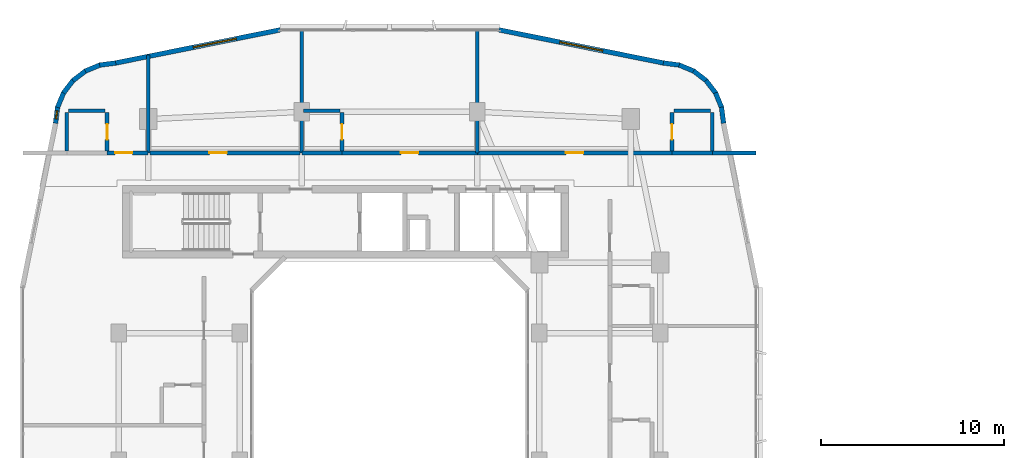
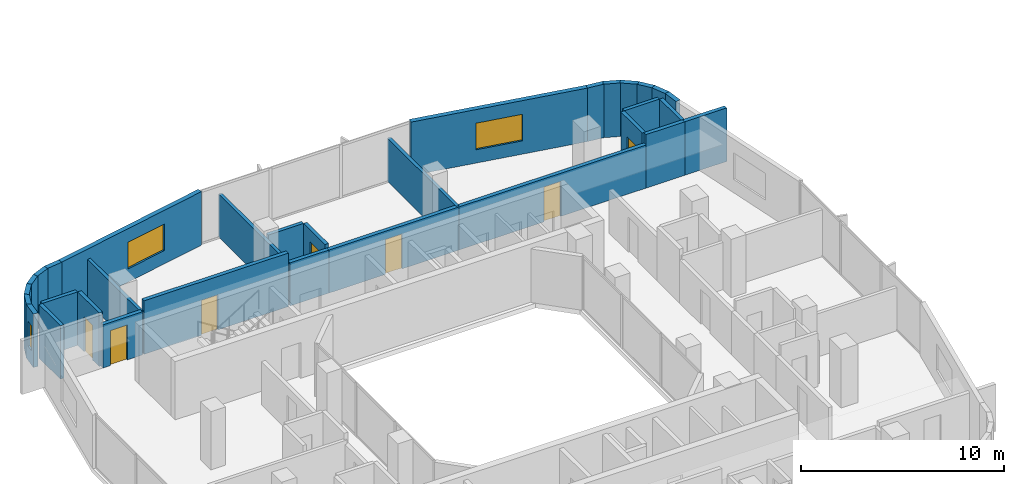
# One storey, part 16 of 26: 32 walls, 7 doors, 3 windows, 10 openings.
"""IFC4 building model written with IfcOpenShell, lengths in metres."""

from ifc_helpers import new_model, si_unit, derived_unit, direction, frame, frame_2d, origin, place, context, subcontext, project, spatial, rectangle, extrude, material, layer, layer_set, type_object, element, fill, save


model = new_model("IFC4")

# Units and contexts
model_context = context("Model", 3, precision=1e-05, world=origin(), true_north=direction((0.0, 1.0)))
body_context = subcontext(model_context, "Body", "Model", "MODEL_VIEW")
ifc_project = project(units=[si_unit("LENGTHUNIT", "METRE"), si_unit("AREAUNIT", "SQUARE_METRE"), si_unit("VOLUMEUNIT", "CUBIC_METRE"), si_unit("PLANEANGLEUNIT", "RADIAN"), si_unit("MASSUNIT", "GRAM", prefix="KILO"), derived_unit("THERMALTRANSMITTANCEUNIT", [(si_unit("POWERUNIT", "WATT"), 1), (si_unit("LENGTHUNIT", "METRE"), -2), (si_unit("THERMODYNAMICTEMPERATUREUNIT", "KELVIN"), -1)])], contexts=[model_context])

# Site, building, storey
site_placement = place(None, origin())
site = spatial("IfcSite", under=ifc_project, at=site_placement, CompositionType="ELEMENT")
building_placement = place(site_placement, origin())
building = spatial("IfcBuilding", under=site, at=building_placement, Name="Kivonza Crest Hotel", CompositionType="ELEMENT")
storey_placement = place(building_placement, frame((0.0, 0.0, 109.0)))
storey = spatial("IfcBuildingStorey", under=building, at=storey_placement, Name="L29", CompositionType="ELEMENT", Elevation=109.0)

# Walls
ifc_material_1 = material(Name="High-density acoustic masonry inter-tenancy wall", Category="masonry")
ifc_layer_1 = layer(ifc_material_1, 0.179931640625)
ifc_layer_set_1 = layer_set([ifc_layer_1], Name="High-density acoustic masonry inter-tenancy wall")
wall_type_1 = type_object("IfcWallType", Name="WL-ACOU-180", PredefinedType="SOLIDWALL", material=ifc_layer_set_1)
wall_1_placement = place(storey_placement, frame((7.800048828125, 38.35009765625, 0.0), z_axis=(0.0, 0.0, 1.0), x_axis=(0.0, 1.0, 0.0)))
element("IfcWall", 1, at=wall_1_placement, inside=storey, type_object=wall_type_1, Name="L29 interior partition WA-L29-T1N-DIV1", PredefinedType="SOLIDWALL", context=body_context, shape_type="SweptSolid", body=[
    extrude(rectangle(XDim=5.350830078125, YDim=0.179931640625, at=frame_2d((2.67529296875, 0.0))), origin(), (0.0, 0.0, 1.0), 2.594970703125),
])
for number, where, z_axis, x_axis, name in (
    (2, (16.199951171875, 38.35009765625, 0.0), (0.0, 0.0, 1.0), (0.0, 1.0, 0.0), "L29 interior partition WA-L29-T1N-DIV2"),
    (3, (25.800048828125, 38.35009765625, 0.0), (0.0, 0.0, 1.0), (0.0, 1.0, 0.0), "L29 interior partition WA-L29-T1N-DIV3"),
):
    element("IfcWall", number, at=place(storey_placement, frame(where, z_axis=z_axis, x_axis=x_axis)), inside=storey, type_object=wall_type_1, Name=name, PredefinedType="SOLIDWALL", context=body_context, shape_type="SweptSolid", body=[
        extrude(rectangle(XDim=6.789794921875, YDim=0.179931640625, at=frame_2d((3.39501953125, 0.0))), origin(), (0.0, 0.0, 1.0), 2.594970703125),
    ])

# Wall, opening, door
ifc_material_2 = material(Name="Autoclaved aerated concrete blockwork", Category="masonry")
ifc_layer_2 = layer(ifc_material_2, 0.219970703125)
ifc_layer_set_2 = layer_set([ifc_layer_2], Name="Autoclaved aerated concrete blockwork")
wall_type_2 = type_object("IfcWallType", Name="WL-ACOU-220", PredefinedType="SOLIDWALL", material=ifc_layer_set_2)
wall_2_placement = place(storey_placement, frame((5.550048828125, 38.35009765625, 0.0), z_axis=(0.0, 0.0, 1.0), x_axis=(1.0, 0.0, 0.0)))
wall_2 = element("IfcWall", 4, at=wall_2_placement, inside=storey, type_object=wall_type_2, Name="L29 interior partition WA-L29-N01-MCORR", PredefinedType="SOLIDWALL", context=body_context, shape_type="SweptSolid", body=[
    extrude(rectangle(XDim=2.25, YDim=0.219970703125, at=frame_2d((1.125, 0.0))), origin(), (0.0, 0.0, 1.0), 2.594970703125),
])
opening_1_placement = place(wall_2_placement, frame((0.43994140625, 0.0, 0.0)))
opening_1 = element("IfcOpeningElement", 5, at=opening_1_placement, cuts=wall_2, Name="Opening DU-60", PredefinedType="OPENING", context=body_context, shape_type="SweptSolid", body=[
    extrude(rectangle(XDim=0.949951171875, YDim=2.10009765625, at=frame_2d((0.47509765625, 1.050048828125))), frame((0.0, 0.1201171875, 0.0), z_axis=(0.0, -1.0, 0.0), x_axis=(1.0, 0.0, 0.0)), (0.0, 0.0, 1.0), 0.239990234375),
])
ifc_material_3 = material(Name="Hardwood timber oak", Category="wood")
door_type_1 = type_object("IfcDoorType", Name="DR-UNIT-950", OperationType="NOTDEFINED", PredefinedType="DOOR", material=ifc_material_3)
door_1_placement = place(opening_1_placement, origin())
door_1 = element("IfcDoor", 6, at=door_1_placement, inside=storey, type_object=door_type_1, Name="L29 N01 guest unit entrance fire door", OperationType="SINGLE_SWING_LEFT", OverallHeight=2.10009765625, OverallWidth=0.949951171875, PredefinedType="DOOR", context=body_context, shape_type="SweptSolid", body=[
    extrude(rectangle(XDim=0.949951171875, YDim=2.10009765625, at=frame_2d((0.47509765625, 1.050048828125))), frame((0.0, 0.02490234375, 0.0), z_axis=(0.0, -1.0, 0.0), x_axis=(1.0, 0.0, 0.0)), (0.0, 0.0, 1.0), 0.050048828125),
])
fill(opening_1, door_1)

wall_3_placement = place(storey_placement, frame((7.89990234375, 38.35009765625, 0.0), z_axis=(0.0, 0.0, 1.0), x_axis=(1.0, 0.0, 0.0)))
wall_3 = element("IfcWall", 7, at=wall_3_placement, inside=storey, type_object=wall_type_2, Name="L29 interior partition WA-L29-HK-MAIN-S", PredefinedType="SOLIDWALL", context=body_context, shape_type="SweptSolid", body=[
    extrude(rectangle(XDim=8.2001953125, YDim=0.219970703125, at=frame_2d((4.10009765625, 0.0))), origin(), (0.0, 0.0, 1.0), 3.219970703125),
])
opening_2_placement = place(wall_3_placement, frame((3.251953125, 0.0, 0.0)))
opening_2 = element("IfcOpeningElement", 8, at=opening_2_placement, cuts=wall_3, Name="Opening DF-60S", PredefinedType="OPENING", context=body_context, shape_type="SweptSolid", body=[
    extrude(rectangle(XDim=0.949951171875, YDim=2.10009765625, at=frame_2d((0.47509765625, 1.050048828125))), frame((0.0, 0.1201171875, 0.0), z_axis=(0.0, -1.0, 0.0), x_axis=(1.0, 0.0, 0.0)), (0.0, 0.0, 1.0), 0.239990234375),
])
door_type_2 = type_object("IfcDoorType", Name="DR-FD60-950", OperationType="NOTDEFINED", PredefinedType="DOOR", material=ifc_material_3)
door_2_placement = place(opening_2_placement, origin())
door_2 = element("IfcDoor", 9, at=door_2_placement, inside=storey, type_object=door_type_2, Name="L29 Housekeeping and Linen Room door", OperationType="SINGLE_SWING_RIGHT", OverallHeight=2.10009765625, OverallWidth=0.949951171875, PredefinedType="DOOR", context=body_context, shape_type="SweptSolid", body=[
    extrude(rectangle(XDim=0.949951171875, YDim=2.10009765625, at=frame_2d((0.47509765625, 1.050048828125))), frame((0.0, 0.02490234375, 0.0), z_axis=(0.0, -1.0, 0.0), x_axis=(1.0, 0.0, 0.0)), (0.0, 0.0, 1.0), 0.050048828125),
])
fill(opening_2, door_2)

# Wall
wall_4_placement = place(storey_placement, frame((16.199951171875, 38.35009765625, 0.0), z_axis=(0.0, 0.0, 1.0), x_axis=(1.0, 0.0, 0.0)))
element("IfcWall", 10, at=wall_4_placement, inside=storey, type_object=wall_type_2, Name="L29 interior partition WA-L29-N02-BCORR", PredefinedType="SOLIDWALL", context=body_context, shape_type="SweptSolid", body=[
    extrude(rectangle(XDim=2.199951171875, YDim=0.219970703125, at=frame_2d((1.10009765625, 0.0))), origin(), (0.0, 0.0, 1.0), 2.594970703125),
])

# Wall, opening, door
wall_5_placement = place(storey_placement, frame((18.39990234375, 38.35009765625, 0.0), z_axis=(0.0, 0.0, 1.0), x_axis=(1.0, 0.0, 0.0)))
wall_5 = element("IfcWall", 11, at=wall_5_placement, inside=storey, type_object=wall_type_2, Name="L29 interior partition WA-L29-N02-MCORR", PredefinedType="SOLIDWALL", context=body_context, shape_type="SweptSolid", body=[
    extrude(rectangle(XDim=7.400146484375, YDim=0.219970703125, at=frame_2d((3.7001953125, 0.0))), origin(), (0.0, 0.0, 1.0), 2.594970703125),
])
opening_3_placement = place(wall_5_placement, frame((3.22509765625, 0.0, 0.0)))
opening_3 = element("IfcOpeningElement", 12, at=opening_3_placement, cuts=wall_5, Name="Opening DU-60", PredefinedType="OPENING", context=body_context, shape_type="SweptSolid", body=[
    extrude(rectangle(XDim=0.949951171875, YDim=2.10009765625, at=frame_2d((0.47509765625, 1.050048828125))), frame((0.0, 0.1201171875, 0.0), z_axis=(0.0, -1.0, 0.0), x_axis=(1.0, 0.0, 0.0)), (0.0, 0.0, 1.0), 0.239990234375),
])
door_3_placement = place(opening_3_placement, origin())
door_3 = element("IfcDoor", 13, at=door_3_placement, inside=storey, type_object=door_type_1, Name="L29 N02 guest unit entrance fire door", OperationType="SINGLE_SWING_RIGHT", OverallHeight=2.10009765625, OverallWidth=0.949951171875, PredefinedType="DOOR", context=body_context, shape_type="SweptSolid", body=[
    extrude(rectangle(XDim=0.949951171875, YDim=2.10009765625, at=frame_2d((0.47509765625, 1.050048828125))), frame((0.0, 0.02490234375, 0.0), z_axis=(0.0, -1.0, 0.0), x_axis=(1.0, 0.0, 0.0)), (0.0, 0.0, 1.0), 0.050048828125),
])
fill(opening_3, door_3)

# Walls
wall_6_placement = place(storey_placement, frame((38.64990234375, 38.35009765625, 0.0), z_axis=(0.0, 0.0, 1.0), x_axis=(1.0, 0.0, 0.0)))
element("IfcWall", 14, at=wall_6_placement, inside=storey, type_object=wall_type_2, Name="L29 interior partition WA-L29-N03-XCORR", PredefinedType="SOLIDWALL", context=body_context, shape_type="SweptSolid", body=[
    extrude(rectangle(XDim=2.39013671875, YDim=0.219970703125, at=frame_2d((1.195068359375, 0.0))), origin(), (0.0, 0.0, 1.0), 3.219970703125),
])
wall_7_placement = place(storey_placement, frame((36.449951171875, 38.35009765625, 0.0), z_axis=(0.0, 0.0, 1.0), x_axis=(1.0, 0.0, 0.0)))
element("IfcWall", 15, at=wall_7_placement, inside=storey, type_object=wall_type_2, Name="L29 interior partition WA-L29-N03-BCORR", PredefinedType="SOLIDWALL", context=body_context, shape_type="SweptSolid", body=[
    extrude(rectangle(XDim=2.199951171875, YDim=0.219970703125, at=frame_2d((1.10009765625, 0.0))), origin(), (0.0, 0.0, 1.0), 3.219970703125),
])

# Wall, opening, door
wall_8_placement = place(storey_placement, frame((25.800048828125, 38.35009765625, 0.0), z_axis=(0.0, 0.0, 1.0), x_axis=(1.0, 0.0, 0.0)))
wall_8 = element("IfcWall", 16, at=wall_8_placement, inside=storey, type_object=wall_type_2, Name="L29 interior partition WA-L29-N03-MCORR", PredefinedType="SOLIDWALL", context=body_context, shape_type="SweptSolid", body=[
    extrude(rectangle(XDim=10.64990234375, YDim=0.219970703125, at=frame_2d((5.324951171875, 0.0))), origin(), (0.0, 0.0, 1.0), 2.594970703125),
])
opening_4_placement = place(wall_8_placement, frame((4.85009765625, 0.0, 0.0)))
opening_4 = element("IfcOpeningElement", 17, at=opening_4_placement, cuts=wall_8, Name="Opening DU-60", PredefinedType="OPENING", context=body_context, shape_type="SweptSolid", body=[
    extrude(rectangle(XDim=0.949951171875, YDim=2.10009765625, at=frame_2d((0.47509765625, 1.050048828125))), frame((0.0, 0.1201171875, 0.0), z_axis=(0.0, -1.0, 0.0), x_axis=(1.0, 0.0, 0.0)), (0.0, 0.0, 1.0), 0.239990234375),
])
door_4_placement = place(opening_4_placement, origin())
door_4 = element("IfcDoor", 18, at=door_4_placement, inside=storey, type_object=door_type_1, Name="L29 N03 guest unit entrance fire door", OperationType="SINGLE_SWING_LEFT", OverallHeight=2.10009765625, OverallWidth=0.949951171875, PredefinedType="DOOR", context=body_context, shape_type="SweptSolid", body=[
    extrude(rectangle(XDim=0.949951171875, YDim=2.10009765625, at=frame_2d((0.47509765625, 1.050048828125))), frame((0.0, 0.02490234375, 0.0), z_axis=(0.0, -1.0, 0.0), x_axis=(1.0, 0.0, 0.0)), (0.0, 0.0, 1.0), 0.050048828125),
])
fill(opening_4, door_4)

# Walls
ifc_material_4 = material(Name="Precast concrete C40/50", Category="concrete")
ifc_layer_3 = layer(ifc_material_4, 0.260009765625)
ifc_layer_set_3 = layer_set([ifc_layer_3], Name="Precast concrete C40/50")
wall_type_3 = type_object("IfcWallType", Name="WL-EXT-260", PredefinedType="STANDARD", material=ifc_layer_set_3)
wall_9_placement = place(storey_placement, frame((39.27197265625, 39.97509765625, 0.0), z_axis=(0.0, 0.0, 1.0), x_axis=(-0.130953706898, 0.991388484223, 0.0)))
element("IfcWall", 19, at=wall_9_placement, inside=storey, type_object=wall_type_3, Name="L29 T1 exterior insulated wall 19", PredefinedType="STANDARD", context=body_context, shape_type="SweptSolid", body=[
    extrude(rectangle(XDim=0.885498046875, YDim=0.260009765625, at=frame_2d((0.44287109375, 0.0))), origin(), (0.0, 0.0, 1.0), 3.219970703125),
])
wall_10_placement = place(storey_placement, frame((39.174072265625, 40.806884765625, 0.0), z_axis=(0.0, 0.0, 1.0), x_axis=(-0.383290660547, 0.923627776508, 0.0)))
element("IfcWall", 20, at=wall_10_placement, inside=storey, type_object=wall_type_3, Name="L29 T1 exterior insulated wall 20", PredefinedType="STANDARD", context=body_context, shape_type="SweptSolid", body=[
    extrude(rectangle(XDim=0.9033203125, YDim=0.260009765625, at=frame_2d((0.45166015625, 0.0))), origin(), (0.0, 0.0, 1.0), 3.219970703125),
])
wall_11_placement = place(storey_placement, frame((38.85595703125, 41.60107421875, 0.0), z_axis=(0.0, 0.0, 1.0), x_axis=(-0.608624690463, 0.793458244748, 0.0)))
element("IfcWall", 21, at=wall_11_placement, inside=storey, type_object=wall_type_3, Name="L29 T1 exterior insulated wall 21", PredefinedType="STANDARD", context=body_context, shape_type="SweptSolid", body=[
    extrude(rectangle(XDim=0.902099609375, YDim=0.260009765625, at=frame_2d((0.451171875, 0.0))), origin(), (0.0, 0.0, 1.0), 3.219970703125),
])
wall_12_placement = place(storey_placement, frame((38.344970703125, 42.285888671875, 0.0), z_axis=(0.0, 0.0, 1.0), x_axis=(-0.793558456666, 0.608494022858, 0.0)))
element("IfcWall", 22, at=wall_12_placement, inside=storey, type_object=wall_type_3, Name="L29 T1 exterior insulated wall 22", PredefinedType="STANDARD", context=body_context, shape_type="SweptSolid", body=[
    extrude(rectangle(XDim=0.90234375, YDim=0.260009765625, at=frame_2d((0.451171875, 0.0))), origin(), (0.0, 0.0, 1.0), 3.219970703125),
])
wall_13_placement = place(storey_placement, frame((37.673095703125, 42.81396484375, 0.0), z_axis=(0.0, 0.0, 1.0), x_axis=(-0.923683767999, 0.383155708213, 0.0)))
element("IfcWall", 23, at=wall_13_placement, inside=storey, type_object=wall_type_3, Name="L29 T1 exterior insulated wall 23", PredefinedType="STANDARD", context=body_context, shape_type="SweptSolid", body=[
    extrude(rectangle(XDim=0.90283203125, YDim=0.260009765625, at=frame_2d((0.451416015625, 0.0))), origin(), (0.0, 0.0, 1.0), 3.219970703125),
])
wall_14_placement = place(storey_placement, frame((36.887939453125, 43.152099609375, 0.0), z_axis=(0.0, 0.0, 1.0), x_axis=(-0.991487658083, 0.130200706103, 0.0)))
element("IfcWall", 24, at=wall_14_placement, inside=storey, type_object=wall_type_3, Name="L29 T1 exterior insulated wall 24", PredefinedType="STANDARD", context=body_context, shape_type="SweptSolid", body=[
    extrude(rectangle(XDim=0.920654296875, YDim=0.260009765625, at=frame_2d((0.46044921875, 0.0))), origin(), (0.0, 0.0, 1.0), 3.219970703125),
])

# Wall, opening, window
wall_15_placement = place(storey_placement, frame((35.98193359375, 43.27099609375, 0.0), z_axis=(0.0, 0.0, 1.0), x_axis=(-0.980315963543, 0.197435082048, 0.0)))
wall_15 = element("IfcWall", 25, at=wall_15_placement, inside=storey, type_object=wall_type_3, Name="L29 T1 exterior insulated wall 25", PredefinedType="STANDARD", context=body_context, shape_type="SweptSolid", body=[
    extrude(rectangle(XDim=9.1826171875, YDim=0.260009765625, at=frame_2d((4.59130859375, 0.0))), origin(), (0.0, 0.0, 1.0), 3.219970703125),
])
opening_5_placement = place(wall_15_placement, frame((3.39111328125, 0.0, 0.800048828125)))
opening_5 = element("IfcOpeningElement", 26, at=opening_5_placement, cuts=wall_15, Name="Opening WN-05", PredefinedType="OPENING", context=body_context, shape_type="SweptSolid", body=[
    extrude(rectangle(XDim=2.39990234375, YDim=1.60009765625, at=frame_2d((1.199951171875, 0.800048828125))), frame((0.0, 0.14013671875, 0.0), z_axis=(0.0, -1.0, 0.0), x_axis=(1.0, 0.0, 0.0)), (0.0, 0.0, 1.0), 0.280029296875),
])
ifc_material_5 = material(Name="Thermally broken bronze aluminium and low-E double glazing", Category="aluminium")
window_type_1 = type_object("IfcWindowType", Name="WN-240x160", PartitioningType="TRIPLE_PANEL_VERTICAL", PredefinedType="WINDOW", material=ifc_material_5)
window_1_placement = place(opening_5_placement, origin())
window_1 = element("IfcWindow", 27, at=window_1_placement, inside=storey, type_object=window_type_1, Name="L29 T1 facade window 25", OverallHeight=1.60009765625, OverallWidth=2.39990234375, PartitioningType="SINGLE_PANEL", PredefinedType="WINDOW", context=body_context, shape_type="SweptSolid", body=[
    extrude(rectangle(XDim=2.39990234375, YDim=1.60009765625, at=frame_2d((1.199951171875, 0.800048828125))), frame((0.0, 0.030029296875, 0.0), z_axis=(0.0, -1.0, 0.0), x_axis=(1.0, 0.0, 0.0)), (0.0, 0.0, 1.0), 0.06005859375),
])
fill(opening_5, window_1)

wall_16_placement = place(storey_placement, frame((15.02001953125, 45.083984375, 0.0), z_axis=(0.0, 0.0, 1.0), x_axis=(-0.980315963543, -0.197435082048, 0.0)))
wall_16 = element("IfcWall", 28, at=wall_16_placement, inside=storey, type_object=wall_type_3, Name="L29 T1 exterior insulated wall 27", PredefinedType="STANDARD", context=body_context, shape_type="SweptSolid", body=[
    extrude(rectangle(XDim=9.1826171875, YDim=0.260009765625, at=frame_2d((4.59130859375, 0.0))), origin(), (0.0, 0.0, 1.0), 3.219970703125),
])
opening_6_placement = place(wall_16_placement, frame((2.445068359375, 0.0, 0.800048828125)))
opening_6 = element("IfcOpeningElement", 29, at=opening_6_placement, cuts=wall_16, Name="Opening WN-05", PredefinedType="OPENING", context=body_context, shape_type="SweptSolid", body=[
    extrude(rectangle(XDim=2.39990234375, YDim=1.60009765625, at=frame_2d((1.199951171875, 0.800048828125))), frame((0.0, 0.14013671875, 0.0), z_axis=(0.0, -1.0, 0.0), x_axis=(1.0, 0.0, 0.0)), (0.0, 0.0, 1.0), 0.280029296875),
])
window_2_placement = place(opening_6_placement, origin())
window_2 = element("IfcWindow", 30, at=window_2_placement, inside=storey, type_object=window_type_1, Name="L29 T1 facade window 27", OverallHeight=1.60009765625, OverallWidth=2.39990234375, PartitioningType="SINGLE_PANEL", PredefinedType="WINDOW", context=body_context, shape_type="SweptSolid", body=[
    extrude(rectangle(XDim=2.39990234375, YDim=1.60009765625, at=frame_2d((1.199951171875, 0.800048828125))), frame((0.0, 0.030029296875, 0.0), z_axis=(0.0, -1.0, 0.0), x_axis=(1.0, 0.0, 0.0)), (0.0, 0.0, 1.0), 0.06005859375),
])
fill(opening_6, window_2)

# Walls
wall_17_placement = place(storey_placement, frame((6.02490234375, 43.27197265625, 0.0), z_axis=(0.0, 0.0, 1.0), x_axis=(-0.991388484223, -0.130953706898, 0.0)))
element("IfcWall", 31, at=wall_17_placement, inside=storey, type_object=wall_type_3, Name="L29 T1 exterior insulated wall 28", PredefinedType="STANDARD", context=body_context, shape_type="SweptSolid", body=[
    extrude(rectangle(XDim=0.885498046875, YDim=0.260009765625, at=frame_2d((0.44287109375, 0.0))), origin(), (0.0, 0.0, 1.0), 3.219970703125),
])
wall_18_placement = place(storey_placement, frame((5.193115234375, 43.174072265625, 0.0), z_axis=(0.0, 0.0, 1.0), x_axis=(-0.923627776508, -0.383290660547, 0.0)))
element("IfcWall", 32, at=wall_18_placement, inside=storey, type_object=wall_type_3, Name="L29 T1 exterior insulated wall 29", PredefinedType="STANDARD", context=body_context, shape_type="SweptSolid", body=[
    extrude(rectangle(XDim=0.9033203125, YDim=0.260009765625, at=frame_2d((0.45166015625, 0.0))), origin(), (0.0, 0.0, 1.0), 3.219970703125),
])
wall_19_placement = place(storey_placement, frame((4.39892578125, 42.85595703125, 0.0), z_axis=(0.0, 0.0, 1.0), x_axis=(-0.793458244748, -0.608624690463, 0.0)))
element("IfcWall", 33, at=wall_19_placement, inside=storey, type_object=wall_type_3, Name="L29 T1 exterior insulated wall 30", PredefinedType="STANDARD", context=body_context, shape_type="SweptSolid", body=[
    extrude(rectangle(XDim=0.902099609375, YDim=0.260009765625, at=frame_2d((0.451171875, 0.0))), origin(), (0.0, 0.0, 1.0), 3.219970703125),
])
wall_20_placement = place(storey_placement, frame((3.714111328125, 42.344970703125, 0.0), z_axis=(0.0, 0.0, 1.0), x_axis=(-0.608494022858, -0.793558456666, 0.0)))
element("IfcWall", 34, at=wall_20_placement, inside=storey, type_object=wall_type_3, Name="L29 T1 exterior insulated wall 31", PredefinedType="STANDARD", context=body_context, shape_type="SweptSolid", body=[
    extrude(rectangle(XDim=0.90234375, YDim=0.260009765625, at=frame_2d((0.451171875, 0.0))), origin(), (0.0, 0.0, 1.0), 3.219970703125),
])
wall_21_placement = place(storey_placement, frame((3.18603515625, 41.673095703125, 0.0), z_axis=(0.0, 0.0, 1.0), x_axis=(-0.383155708213, -0.923683767999, 0.0)))
element("IfcWall", 35, at=wall_21_placement, inside=storey, type_object=wall_type_3, Name="L29 T1 exterior insulated wall 32", PredefinedType="STANDARD", context=body_context, shape_type="SweptSolid", body=[
    extrude(rectangle(XDim=0.90283203125, YDim=0.260009765625, at=frame_2d((0.451416015625, 0.0))), origin(), (0.0, 0.0, 1.0), 3.219970703125),
])

# Wall, opening, window
wall_22_placement = place(storey_placement, frame((2.847900390625, 40.887939453125, 0.0), z_axis=(0.0, 0.0, 1.0), x_axis=(-0.130200706103, -0.991487658083, 0.0)))
wall_22 = element("IfcWall", 36, at=wall_22_placement, inside=storey, type_object=wall_type_3, Name="L29 T1 exterior insulated wall 33", PredefinedType="STANDARD", context=body_context, shape_type="SweptSolid", body=[
    extrude(rectangle(XDim=0.920654296875, YDim=0.260009765625, at=frame_2d((0.46044921875, 0.0))), origin(), (0.0, 0.0, 1.0), 3.219970703125),
])
opening_7_placement = place(wall_22_placement, frame((0.235107421875, 0.0, 0.85009765625)))
opening_7 = element("IfcOpeningElement", 37, at=opening_7_placement, cuts=wall_22, Name="Opening WN-11", PredefinedType="OPENING", context=body_context, shape_type="SweptSolid", body=[
    extrude(rectangle(XDim=0.449951171875, YDim=1.5, at=frame_2d((0.22509765625, 0.75))), frame((0.0, 0.14013671875, 0.0), z_axis=(0.0, -1.0, 0.0), x_axis=(1.0, 0.0, 0.0)), (0.0, 0.0, 1.0), 0.280029296875),
])
window_type_2 = type_object("IfcWindowType", Name="WN-045x150", PartitioningType="SINGLE_PANEL", PredefinedType="WINDOW", material=ifc_material_5)
window_3_placement = place(opening_7_placement, origin())
window_3 = element("IfcWindow", 38, at=window_3_placement, inside=storey, type_object=window_type_2, Name="L29 corner vision window 1", OverallHeight=1.5, OverallWidth=0.449951171875, PartitioningType="SINGLE_PANEL", PredefinedType="WINDOW", context=body_context, shape_type="SweptSolid", body=[
    extrude(rectangle(XDim=0.449951171875, YDim=1.5, at=frame_2d((0.22509765625, 0.75))), frame((0.0, 0.030029296875, 0.0), z_axis=(0.0, -1.0, 0.0), x_axis=(1.0, 0.0, 0.0)), (0.0, 0.0, 1.0), 0.06005859375),
])
fill(opening_7, window_3)

# Wall, opening, door
ifc_material_6 = material(Name="Moisture-resistant plumbing chase partition wall", Category="gypsum")
ifc_layer_4 = layer(ifc_material_6, 0.199951171875)
ifc_layer_set_4 = layer_set([ifc_layer_4], Name="Moisture-resistant plumbing chase partition wall")
wall_type_4 = type_object("IfcWallType", Name="WL-PLUMB-200", PredefinedType="PLUMBINGWALL", material=ifc_layer_set_4)
wall_23_placement = place(storey_placement, frame((5.550048828125, 38.449951171875, 0.0), z_axis=(0.0, 0.0, 1.0), x_axis=(0.0, 1.0, 0.0)))
wall_23 = element("IfcWall", 39, at=wall_23_placement, inside=storey, type_object=wall_type_4, Name="L29 interior partition WW-L29-N01-BV", PredefinedType="PLUMBINGWALL", context=body_context, shape_type="SweptSolid", body=[
    extrude(rectangle(XDim=2.10009765625, YDim=0.199951171875, at=frame_2d((1.050048828125, 0.0))), origin(), (0.0, 0.0, 1.0), 3.219970703125),
])
opening_8_placement = place(wall_23_placement, frame((0.625, 0.0, 0.0)))
opening_8 = element("IfcOpeningElement", 40, at=opening_8_placement, cuts=wall_23, Name="Opening DI-85", PredefinedType="OPENING", context=body_context, shape_type="SweptSolid", body=[
    extrude(rectangle(XDim=0.85009765625, YDim=2.10009765625, at=frame_2d((0.425048828125, 1.050048828125))), frame((0.0, 0.10986328125, 0.0), z_axis=(0.0, -1.0, 0.0), x_axis=(1.0, 0.0, 0.0)), (0.0, 0.0, 1.0), 0.219970703125),
])
door_type_3 = type_object("IfcDoorType", Name="DR-INT-850", OperationType="NOTDEFINED", PredefinedType="DOOR", material=ifc_material_3)
door_5_placement = place(opening_8_placement, frame((0.85009765625, 0.0, 0.0), z_axis=(0.0, 0.0, 1.0), x_axis=(-1.0, 0.0, 0.0)))
door_5 = element("IfcDoor", 41, at=door_5_placement, inside=storey, type_object=door_type_3, Name="L29 N01 en-suite bathroom door", OperationType="SINGLE_SWING_RIGHT", OverallHeight=2.10009765625, OverallWidth=0.85009765625, PredefinedType="DOOR", context=body_context, shape_type="SweptSolid", body=[
    extrude(rectangle(XDim=0.85009765625, YDim=2.10009765625, at=frame_2d((0.425048828125, 1.050048828125))), frame((0.0, 0.02490234375, 0.0), z_axis=(0.0, -1.0, 0.0), x_axis=(1.0, 0.0, 0.0)), (0.0, 0.0, 1.0), 0.050048828125),
])
fill(opening_8, door_5)

# Walls
wall_24_placement = place(storey_placement, frame((3.449951171875, 40.64990234375, 0.0), z_axis=(0.0, 0.0, 1.0), x_axis=(1.0, 0.0, 0.0)))
element("IfcWall", 42, at=wall_24_placement, inside=storey, type_object=wall_type_4, Name="L29 interior partition WW-L29-N01-BH", PredefinedType="PLUMBINGWALL", context=body_context, shape_type="SweptSolid", body=[
    extrude(rectangle(XDim=2.0, YDim=0.199951171875, at=frame_2d((1.0, 0.0))), origin(), (0.0, 0.0, 1.0), 3.219970703125),
])
wall_25_placement = place(storey_placement, frame((3.35009765625, 38.449951171875, 0.0), z_axis=(0.0, 0.0, 1.0), x_axis=(0.0, 1.0, 0.0)))
element("IfcWall", 43, at=wall_25_placement, inside=storey, type_object=wall_type_4, Name="L29 interior partition WW-L29-N01-BVW", PredefinedType="PLUMBINGWALL", context=body_context, shape_type="SweptSolid", body=[
    extrude(rectangle(XDim=2.10009765625, YDim=0.199951171875, at=frame_2d((1.050048828125, 0.0))), origin(), (0.0, 0.0, 1.0), 3.219970703125),
])

# Wall, opening, door
wall_26_placement = place(storey_placement, frame((18.39990234375, 38.449951171875, 0.0), z_axis=(0.0, 0.0, 1.0), x_axis=(0.0, 1.0, 0.0)))
wall_26 = element("IfcWall", 44, at=wall_26_placement, inside=storey, type_object=wall_type_4, Name="L29 interior partition WW-L29-N02-BV", PredefinedType="PLUMBINGWALL", context=body_context, shape_type="SweptSolid", body=[
    extrude(rectangle(XDim=2.10009765625, YDim=0.199951171875, at=frame_2d((1.050048828125, 0.0))), origin(), (0.0, 0.0, 1.0), 2.8349609375),
])
opening_9_placement = place(wall_26_placement, frame((0.625, 0.0, 0.0)))
opening_9 = element("IfcOpeningElement", 45, at=opening_9_placement, cuts=wall_26, Name="Opening DI-85", PredefinedType="OPENING", context=body_context, shape_type="SweptSolid", body=[
    extrude(rectangle(XDim=0.85009765625, YDim=2.10009765625, at=frame_2d((0.425048828125, 1.050048828125))), frame((0.0, 0.10986328125, 0.0), z_axis=(0.0, -1.0, 0.0), x_axis=(1.0, 0.0, 0.0)), (0.0, 0.0, 1.0), 0.219970703125),
])
door_6_placement = place(opening_9_placement, frame((0.85009765625, 0.0, 0.0), z_axis=(0.0, 0.0, 1.0), x_axis=(-1.0, 0.0, 0.0)))
door_6 = element("IfcDoor", 46, at=door_6_placement, inside=storey, type_object=door_type_3, Name="L29 N02 en-suite bathroom door", OperationType="SINGLE_SWING_LEFT", OverallHeight=2.10009765625, OverallWidth=0.85009765625, PredefinedType="DOOR", context=body_context, shape_type="SweptSolid", body=[
    extrude(rectangle(XDim=0.85009765625, YDim=2.10009765625, at=frame_2d((0.425048828125, 1.050048828125))), frame((0.0, 0.02490234375, 0.0), z_axis=(0.0, -1.0, 0.0), x_axis=(1.0, 0.0, 0.0)), (0.0, 0.0, 1.0), 0.050048828125),
])
fill(opening_9, door_6)

# Wall
wall_27_placement = place(storey_placement, frame((16.300048828125, 40.64990234375, 0.0), z_axis=(0.0, 0.0, 1.0), x_axis=(1.0, 0.0, 0.0)))
element("IfcWall", 47, at=wall_27_placement, inside=storey, type_object=wall_type_4, Name="L29 interior partition WW-L29-N02-BH", PredefinedType="PLUMBINGWALL", context=body_context, shape_type="SweptSolid", body=[
    extrude(rectangle(XDim=2.0, YDim=0.199951171875, at=frame_2d((1.0, 0.0))), origin(), (0.0, 0.0, 1.0), 2.8349609375),
])

# Wall, opening, door
wall_28_placement = place(storey_placement, frame((36.449951171875, 38.449951171875, 0.0), z_axis=(0.0, 0.0, 1.0), x_axis=(0.0, 1.0, 0.0)))
wall_28 = element("IfcWall", 48, at=wall_28_placement, inside=storey, type_object=wall_type_4, Name="L29 interior partition WW-L29-N03-BV", PredefinedType="PLUMBINGWALL", context=body_context, shape_type="SweptSolid", body=[
    extrude(rectangle(XDim=2.10009765625, YDim=0.199951171875, at=frame_2d((1.050048828125, 0.0))), origin(), (0.0, 0.0, 1.0), 3.219970703125),
])
opening_10_placement = place(wall_28_placement, frame((0.625, 0.0, 0.0)))
opening_10 = element("IfcOpeningElement", 49, at=opening_10_placement, cuts=wall_28, Name="Opening DI-85", PredefinedType="OPENING", context=body_context, shape_type="SweptSolid", body=[
    extrude(rectangle(XDim=0.85009765625, YDim=2.10009765625, at=frame_2d((0.425048828125, 1.050048828125))), frame((0.0, 0.10986328125, 0.0), z_axis=(0.0, -1.0, 0.0), x_axis=(1.0, 0.0, 0.0)), (0.0, 0.0, 1.0), 0.219970703125),
])
door_7_placement = place(opening_10_placement, origin())
door_7 = element("IfcDoor", 50, at=door_7_placement, inside=storey, type_object=door_type_3, Name="L29 N03 en-suite bathroom door", OperationType="SINGLE_SWING_RIGHT", OverallHeight=2.10009765625, OverallWidth=0.85009765625, PredefinedType="DOOR", context=body_context, shape_type="SweptSolid", body=[
    extrude(rectangle(XDim=0.85009765625, YDim=2.10009765625, at=frame_2d((0.425048828125, 1.050048828125))), frame((0.0, 0.02490234375, 0.0), z_axis=(0.0, -1.0, 0.0), x_axis=(1.0, 0.0, 0.0)), (0.0, 0.0, 1.0), 0.050048828125),
])
fill(opening_10, door_7)

# Walls
wall_29_placement = place(storey_placement, frame((36.550048828125, 40.64990234375, 0.0), z_axis=(0.0, 0.0, 1.0), x_axis=(1.0, 0.0, 0.0)))
element("IfcWall", 51, at=wall_29_placement, inside=storey, type_object=wall_type_4, Name="L29 interior partition WW-L29-N03-BH", PredefinedType="PLUMBINGWALL", context=body_context, shape_type="SweptSolid", body=[
    extrude(rectangle(XDim=2.0, YDim=0.199951171875, at=frame_2d((1.0, 0.0))), origin(), (0.0, 0.0, 1.0), 3.219970703125),
])
wall_30_placement = place(storey_placement, frame((38.64990234375, 38.449951171875, 0.0), z_axis=(0.0, 0.0, 1.0), x_axis=(0.0, 1.0, 0.0)))
element("IfcWall", 52, at=wall_30_placement, inside=storey, type_object=wall_type_4, Name="L29 interior partition WW-L29-N03-BVE", PredefinedType="PLUMBINGWALL", context=body_context, shape_type="SweptSolid", body=[
    extrude(rectangle(XDim=2.10009765625, YDim=0.199951171875, at=frame_2d((1.050048828125, 0.0))), origin(), (0.0, 0.0, 1.0), 3.219970703125),
])

save(model, "model.ifc")
